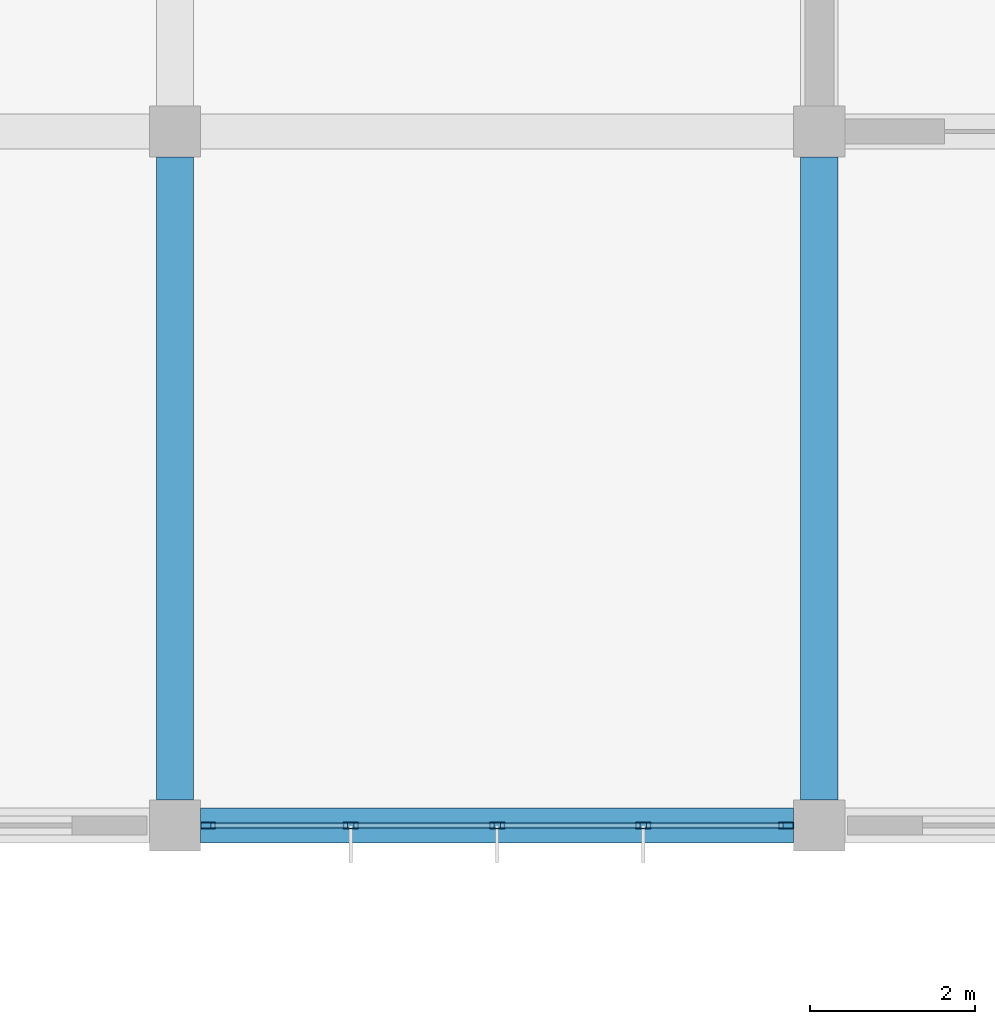
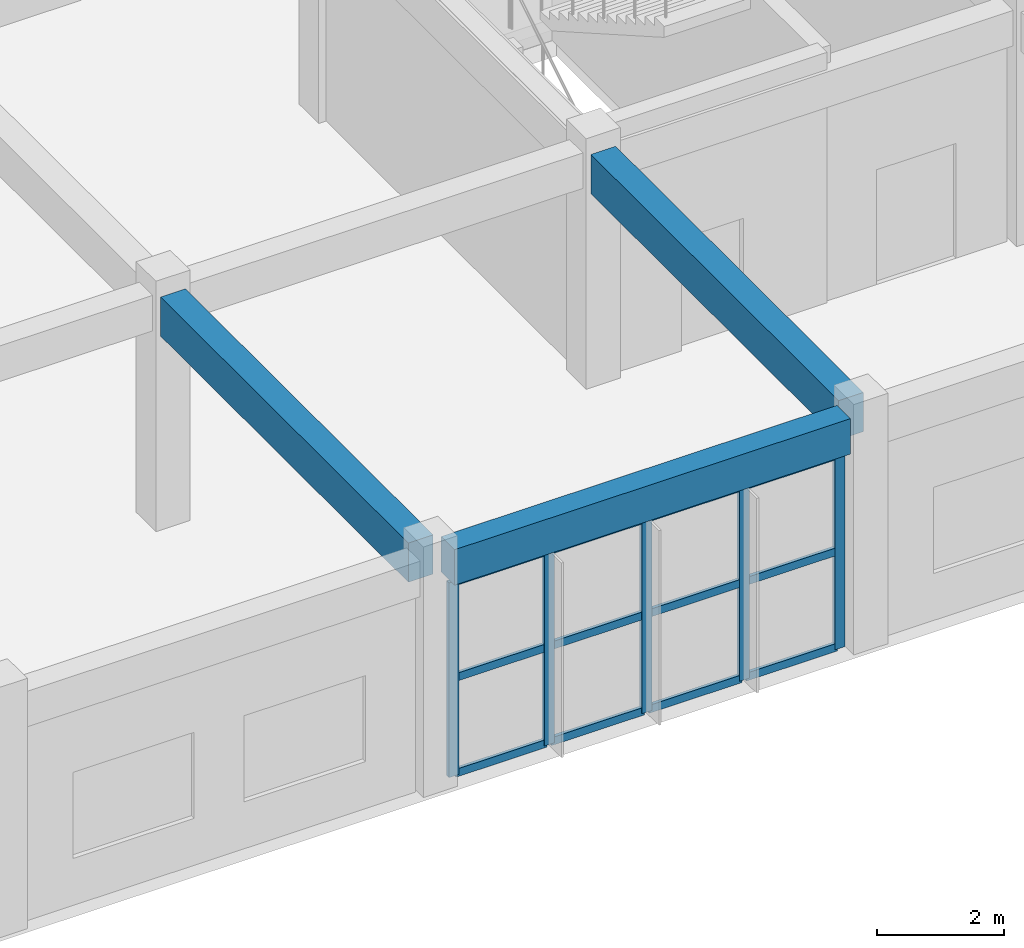
# One storey, part 89 of 167: 17 members, 3 beams, 1 element without a shape of its own.
"""IFC4 building model written with IfcOpenShell, lengths in metres."""

from ifc_helpers import new_model, si_unit, direction, frame, origin, origin_2d, place, context, subcontext, project, spatial, rectangle, hollow_rectangle, extrude, material, layer, layer_set, material_profile, profile_set, type_object, element, aggregate, save


model = new_model("IFC4")

# Units and contexts
model_context = context("Model", 3, precision=1e-05, world=origin(), true_north=direction((0.0, 1.0)))
body_context = subcontext(model_context, "Body", "Model", "MODEL_VIEW")
ifc_project = project(units=[si_unit("LENGTHUNIT", "METRE"), si_unit("AREAUNIT", "SQUARE_METRE"), si_unit("VOLUMEUNIT", "CUBIC_METRE"), si_unit("PLANEANGLEUNIT", "RADIAN"), si_unit("MASSUNIT", "GRAM", prefix="KILO")], contexts=[model_context])

# Site, building, storey
site_placement = place(None, origin())
site = spatial("IfcSite", under=ifc_project, at=site_placement, CompositionType="ELEMENT")
building_placement = place(site_placement, origin())
building = spatial("IfcBuilding", under=site, at=building_placement, Name="Zizhar Promenade General Hospital", CompositionType="ELEMENT")
storey_placement = place(building_placement, frame((0.0, 0.0, 9.60009765625)))
storey = spatial("IfcBuildingStorey", under=building, at=storey_placement, Name="L02", CompositionType="ELEMENT", Elevation=9.60009765625)

# Beams
ifc_material_1 = material(Name="Concrete C35/45", Category="concrete")
ifc_material_profile_1 = material_profile(ifc_material_1, rectangle(XDim=0.419921875, YDim=0.679931640625, at=origin_2d()))
ifc_profile_set_1 = profile_set([ifc_material_profile_1], Name="Concrete C35/45")
beam_type_1 = type_object("IfcBeamType", Name="BM-RC-420x680", PredefinedType="JOIST", material=ifc_profile_set_1)
beam_placement = place(storey_placement, frame((164.110107421875, 42.0, 4.1298828125), z_axis=(1.0, 0.0, 0.0), x_axis=(0.0, 1.0, 0.0)))
element("IfcBeam", 1, at=beam_placement, inside=storey, type_object=beam_type_1, Name="Grid Beam X L02 (21-5)", PredefinedType="JOIST", context=body_context, shape_type="SweptSolid", body=[
    extrude(rectangle(XDim=0.419921875, YDim=0.679931640625, at=origin_2d()), origin(), (0.0, 0.0, 1.0), 7.179931640625),
])
ifc_material_2 = material(Name="Concrete C35/45", Category="concrete")
ifc_material_profile_2 = material_profile(ifc_material_2, rectangle(XDim=0.449951171875, YDim=0.75, at=origin_2d()))
ifc_profile_set_2 = profile_set([ifc_material_profile_2], Name="Concrete C35/45")
beam_type_2 = type_object("IfcBeamType", Name="BM-RC-450x750", PredefinedType="BEAM", material=ifc_profile_set_2)
for number, where, z_axis, x_axis, name in (
    (2, (163.800048828125, 42.31005859375, 4.094970703125), (0.0, 1.0, 0.0), (-1.0, 0.0, 0.0), "Grid Beam Y L02 (21-5)"),
    (3, (171.60009765625, 42.31005859375, 4.094970703125), (0.0, 1.0, 0.0), (-1.0, 0.0, 0.0), "Grid Beam Y L02 (22-5)"),
):
    element("IfcBeam", number, at=place(storey_placement, frame(where, z_axis=z_axis, x_axis=x_axis)), inside=storey, type_object=beam_type_2, Name=name, PredefinedType="BEAM", context=body_context, shape_type="SweptSolid", body=[
        extrude(rectangle(XDim=0.449951171875, YDim=0.75, at=origin_2d()), origin(), (0.0, 0.0, 1.0), 7.780029296875),
    ])

# Curtain wall, members
ifc_material_3 = material(Name="Anodised aluminium 6063-T6 and low-E glass", Category="aluminium")
ifc_layer = layer(ifc_material_3, 0.159912109375)
ifc_layer_set = layer_set([ifc_layer], Name="Anodised aluminium 6063-T6 and low-E glass")
curtain_wall_type = type_object("IfcCurtainWallType", Name="CW-CLN-EXT", PredefinedType="NOTDEFINED", material=ifc_layer_set)
curtain_wall_placement = place(storey_placement, origin())
curtain_wall = element("IfcCurtainWall", 4, at=curtain_wall_placement, inside=storey, type_object=curtain_wall_type, Name="Outpatient Forecourt Curtain Wall L02-21", PredefinedType="NOTDEFINED")
ifc_material_4 = material(Name="Anodised aluminium 6063-T6", Category="aluminium")
ifc_material_profile_3 = material_profile(ifc_material_4, hollow_rectangle(XDim=0.080078125, YDim=0.179931640625, WallThickness=0.0048828125, at=origin_2d()))
ifc_profile_set_3 = profile_set([ifc_material_profile_3], Name="Anodised aluminium 6063-T6")
member_type_1 = type_object("IfcMemberType", Name="CWM-ALU-180x80", PredefinedType="MULLION", material=ifc_profile_set_3)
member_1_placement = place(storey_placement, frame((171.199951171875, 42.0, 0.0), z_axis=(0.0, 0.0, 1.0), x_axis=(0.0, -1.0, 0.0)))
member_1 = element("IfcMember", 5, at=member_1_placement, type_object=member_type_1, Name="CW-09 mullion 1", PredefinedType="MULLION", context=body_context, shape_type="SweptSolid", body=[
    extrude(hollow_rectangle(XDim=0.080078125, YDim=0.179931640625, WallThickness=0.0048828125, at=origin_2d()), origin(), (0.0, 0.0, 1.0), 3.72998046875),
])
member_2_placement = place(storey_placement, frame((169.469970703125, 42.0, 0.0), z_axis=(0.0, 0.0, 1.0), x_axis=(0.0, -1.0, 0.0)))
member_2 = element("IfcMember", 6, at=member_2_placement, type_object=member_type_1, Name="CW-09 mullion 2", PredefinedType="MULLION", context=body_context, shape_type="SweptSolid", body=[
    extrude(hollow_rectangle(XDim=0.080078125, YDim=0.179931640625, WallThickness=0.0048828125, at=origin_2d()), origin(), (0.0, 0.0, 1.0), 3.72998046875),
])
member_3_placement = place(storey_placement, frame((167.699951171875, 42.0, 0.0), z_axis=(0.0, 0.0, 1.0), x_axis=(0.0, -1.0, 0.0)))
member_3 = element("IfcMember", 7, at=member_3_placement, type_object=member_type_1, Name="CW-09 mullion 3", PredefinedType="MULLION", context=body_context, shape_type="SweptSolid", body=[
    extrude(hollow_rectangle(XDim=0.080078125, YDim=0.179931640625, WallThickness=0.0048828125, at=origin_2d()), origin(), (0.0, 0.0, 1.0), 3.72998046875),
])
member_4_placement = place(storey_placement, frame((165.929931640625, 42.0, 0.0), z_axis=(0.0, 0.0, 1.0), x_axis=(0.0, -1.0, 0.0)))
member_4 = element("IfcMember", 8, at=member_4_placement, type_object=member_type_1, Name="CW-09 mullion 4", PredefinedType="MULLION", context=body_context, shape_type="SweptSolid", body=[
    extrude(hollow_rectangle(XDim=0.080078125, YDim=0.179931640625, WallThickness=0.0048828125, at=origin_2d()), origin(), (0.0, 0.0, 1.0), 3.72998046875),
])
member_5_placement = place(storey_placement, frame((164.199951171875, 42.0, 0.0), z_axis=(0.0, 0.0, 1.0), x_axis=(0.0, -1.0, 0.0)))
member_5 = element("IfcMember", 9, at=member_5_placement, type_object=member_type_1, Name="CW-09 mullion 5", PredefinedType="MULLION", context=body_context, shape_type="SweptSolid", body=[
    extrude(hollow_rectangle(XDim=0.080078125, YDim=0.179931640625, WallThickness=0.0048828125, at=origin_2d()), origin(), (0.0, 0.0, 1.0), 3.72998046875),
])
ifc_material_5 = material(Name="Anodised aluminium 6063-T6", Category="aluminium")
ifc_material_profile_4 = material_profile(ifc_material_5, hollow_rectangle(XDim=0.06005859375, YDim=0.14990234375, WallThickness=0.00390625, at=origin_2d()))
ifc_profile_set_4 = profile_set([ifc_material_profile_4], Name="Anodised aluminium 6063-T6")
member_type_2 = type_object("IfcMemberType", Name="CWT-ALU-150x60", PredefinedType="USERDEFINED", material=ifc_profile_set_4)
member_6_placement = place(storey_placement, frame((171.159912109375, 42.0, 0.02978515625), z_axis=(-1.0, 0.0, 0.0), x_axis=(0.0, -1.0, 0.0)))
member_6 = element("IfcMember", 10, at=member_6_placement, type_object=member_type_2, Name="CW-09 transom 1.1", ObjectType="TRANSOM", PredefinedType="USERDEFINED", context=body_context, shape_type="SweptSolid", body=[
    extrude(hollow_rectangle(XDim=0.06005859375, YDim=0.14990234375, WallThickness=0.00390625, at=origin_2d()), origin(), (0.0, 0.0, 1.0), 1.64990234375),
])
member_7_placement = place(storey_placement, frame((171.159912109375, 42.0, 1.864990234375), z_axis=(-1.0, 0.0, 0.0), x_axis=(0.0, -1.0, 0.0)))
member_7 = element("IfcMember", 11, at=member_7_placement, type_object=member_type_2, Name="CW-09 transom 1.2", ObjectType="TRANSOM", PredefinedType="USERDEFINED", context=body_context, shape_type="SweptSolid", body=[
    extrude(hollow_rectangle(XDim=0.06005859375, YDim=0.14990234375, WallThickness=0.00390625, at=origin_2d()), origin(), (0.0, 0.0, 1.0), 1.64990234375),
])
member_8_placement = place(storey_placement, frame((171.159912109375, 42.0, 3.699951171875), z_axis=(-1.0, 0.0, 0.0), x_axis=(0.0, -1.0, 0.0)))
member_8 = element("IfcMember", 12, at=member_8_placement, type_object=member_type_2, Name="CW-09 transom 1.3", ObjectType="TRANSOM", PredefinedType="USERDEFINED", context=body_context, shape_type="SweptSolid", body=[
    extrude(hollow_rectangle(XDim=0.06005859375, YDim=0.14990234375, WallThickness=0.00390625, at=origin_2d()), origin(), (0.0, 0.0, 1.0), 1.64990234375),
])
member_9_placement = place(storey_placement, frame((169.429931640625, 42.0, 0.02978515625), z_axis=(-1.0, 0.0, 0.0), x_axis=(0.0, -1.0, 0.0)))
member_9 = element("IfcMember", 13, at=member_9_placement, type_object=member_type_2, Name="CW-09 transom 2.1", ObjectType="TRANSOM", PredefinedType="USERDEFINED", context=body_context, shape_type="SweptSolid", body=[
    extrude(hollow_rectangle(XDim=0.06005859375, YDim=0.14990234375, WallThickness=0.00390625, at=origin_2d()), origin(), (0.0, 0.0, 1.0), 1.68994140625),
])
member_10_placement = place(storey_placement, frame((169.429931640625, 42.0, 1.864990234375), z_axis=(-1.0, 0.0, 0.0), x_axis=(0.0, -1.0, 0.0)))
member_10 = element("IfcMember", 14, at=member_10_placement, type_object=member_type_2, Name="CW-09 transom 2.2", ObjectType="TRANSOM", PredefinedType="USERDEFINED", context=body_context, shape_type="SweptSolid", body=[
    extrude(hollow_rectangle(XDim=0.06005859375, YDim=0.14990234375, WallThickness=0.00390625, at=origin_2d()), origin(), (0.0, 0.0, 1.0), 1.68994140625),
])
member_11_placement = place(storey_placement, frame((169.429931640625, 42.0, 3.699951171875), z_axis=(-1.0, 0.0, 0.0), x_axis=(0.0, -1.0, 0.0)))
member_11 = element("IfcMember", 15, at=member_11_placement, type_object=member_type_2, Name="CW-09 transom 2.3", ObjectType="TRANSOM", PredefinedType="USERDEFINED", context=body_context, shape_type="SweptSolid", body=[
    extrude(hollow_rectangle(XDim=0.06005859375, YDim=0.14990234375, WallThickness=0.00390625, at=origin_2d()), origin(), (0.0, 0.0, 1.0), 1.68994140625),
])
member_12_placement = place(storey_placement, frame((167.659912109375, 42.0, 0.02978515625), z_axis=(-1.0, 0.0, 0.0), x_axis=(0.0, -1.0, 0.0)))
member_12 = element("IfcMember", 16, at=member_12_placement, type_object=member_type_2, Name="CW-09 transom 3.1", ObjectType="TRANSOM", PredefinedType="USERDEFINED", context=body_context, shape_type="SweptSolid", body=[
    extrude(hollow_rectangle(XDim=0.06005859375, YDim=0.14990234375, WallThickness=0.00390625, at=origin_2d()), origin(), (0.0, 0.0, 1.0), 1.68994140625),
])
member_13_placement = place(storey_placement, frame((167.659912109375, 42.0, 1.864990234375), z_axis=(-1.0, 0.0, 0.0), x_axis=(0.0, -1.0, 0.0)))
member_13 = element("IfcMember", 17, at=member_13_placement, type_object=member_type_2, Name="CW-09 transom 3.2", ObjectType="TRANSOM", PredefinedType="USERDEFINED", context=body_context, shape_type="SweptSolid", body=[
    extrude(hollow_rectangle(XDim=0.06005859375, YDim=0.14990234375, WallThickness=0.00390625, at=origin_2d()), origin(), (0.0, 0.0, 1.0), 1.68994140625),
])
member_14_placement = place(storey_placement, frame((167.659912109375, 42.0, 3.699951171875), z_axis=(-1.0, 0.0, 0.0), x_axis=(0.0, -1.0, 0.0)))
member_14 = element("IfcMember", 18, at=member_14_placement, type_object=member_type_2, Name="CW-09 transom 3.3", ObjectType="TRANSOM", PredefinedType="USERDEFINED", context=body_context, shape_type="SweptSolid", body=[
    extrude(hollow_rectangle(XDim=0.06005859375, YDim=0.14990234375, WallThickness=0.00390625, at=origin_2d()), origin(), (0.0, 0.0, 1.0), 1.68994140625),
])
member_15_placement = place(storey_placement, frame((165.889892578125, 42.0, 0.02978515625), z_axis=(-1.0, 0.0, 0.0), x_axis=(0.0, -1.0, 0.0)))
member_15 = element("IfcMember", 19, at=member_15_placement, type_object=member_type_2, Name="CW-09 transom 4.1", ObjectType="TRANSOM", PredefinedType="USERDEFINED", context=body_context, shape_type="SweptSolid", body=[
    extrude(hollow_rectangle(XDim=0.06005859375, YDim=0.14990234375, WallThickness=0.00390625, at=origin_2d()), origin(), (0.0, 0.0, 1.0), 1.64990234375),
])
member_16_placement = place(storey_placement, frame((165.889892578125, 42.0, 1.864990234375), z_axis=(-1.0, 0.0, 0.0), x_axis=(0.0, -1.0, 0.0)))
member_16 = element("IfcMember", 20, at=member_16_placement, type_object=member_type_2, Name="CW-09 transom 4.2", ObjectType="TRANSOM", PredefinedType="USERDEFINED", context=body_context, shape_type="SweptSolid", body=[
    extrude(hollow_rectangle(XDim=0.06005859375, YDim=0.14990234375, WallThickness=0.00390625, at=origin_2d()), origin(), (0.0, 0.0, 1.0), 1.64990234375),
])
member_17_placement = place(storey_placement, frame((165.889892578125, 42.0, 3.699951171875), z_axis=(-1.0, 0.0, 0.0), x_axis=(0.0, -1.0, 0.0)))
member_17 = element("IfcMember", 21, at=member_17_placement, type_object=member_type_2, Name="CW-09 transom 4.3", ObjectType="TRANSOM", PredefinedType="USERDEFINED", context=body_context, shape_type="SweptSolid", body=[
    extrude(hollow_rectangle(XDim=0.06005859375, YDim=0.14990234375, WallThickness=0.00390625, at=origin_2d()), origin(), (0.0, 0.0, 1.0), 1.64990234375),
])
aggregate(curtain_wall, [member_1, member_2, member_3, member_4, member_5, member_6, member_7, member_8, member_9, member_10, member_11, member_12, member_13, member_14, member_15, member_16, member_17])

save(model, "model.ifc")
